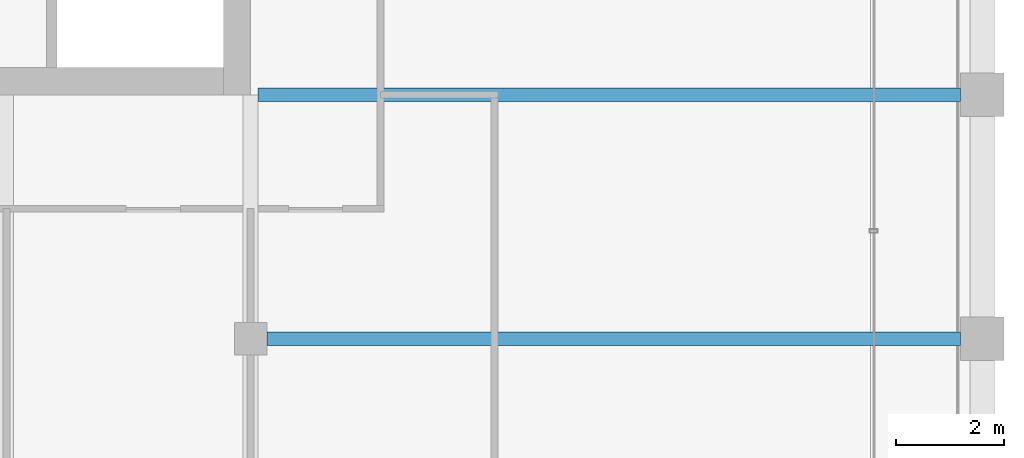
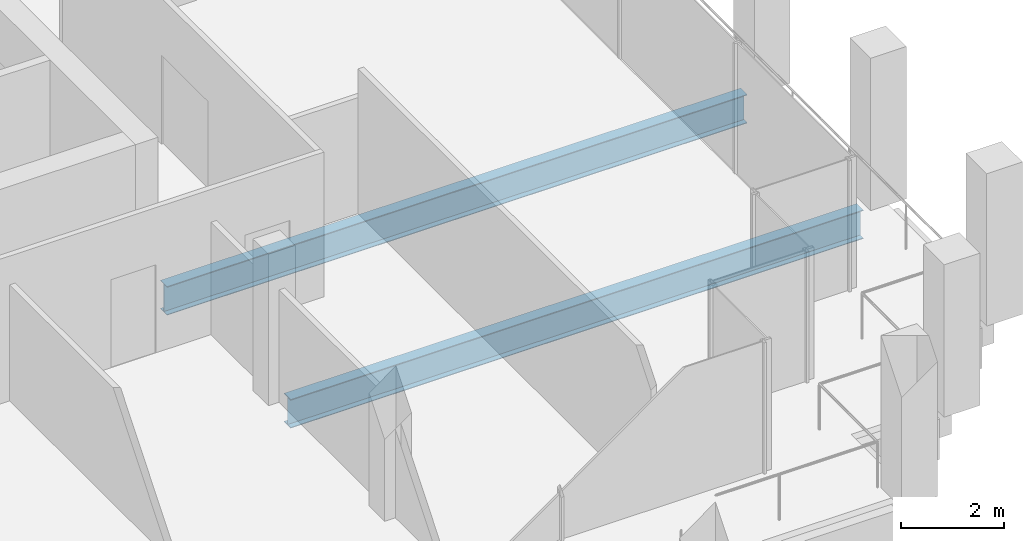
# One storey, part 14 of 30: 2 beams.
"""IFC4 building model written with IfcOpenShell, lengths in metres."""

from ifc_helpers import new_model, si_unit, direction, frame, origin, origin_2d, place, context, subcontext, project, spatial, i_section, extrude, material, material_profile, profile_set, type_object, element, save


model = new_model("IFC4")

# Units and contexts
model_context = context("Model", 3, precision=1e-05, world=origin(), true_north=direction((0.0, 1.0)))
body_context = subcontext(model_context, "Body", "Model", "MODEL_VIEW")
ifc_project = project(units=[si_unit("LENGTHUNIT", "METRE"), si_unit("AREAUNIT", "SQUARE_METRE"), si_unit("VOLUMEUNIT", "CUBIC_METRE"), si_unit("PLANEANGLEUNIT", "RADIAN"), si_unit("MASSUNIT", "GRAM", prefix="KILO")], contexts=[model_context])

# Site, building, storey
site_placement = place(None, origin())
site = spatial("IfcSite", under=ifc_project, at=site_placement, CompositionType="ELEMENT")
building_placement = place(site_placement, origin())
building = spatial("IfcBuilding", under=site, at=building_placement, Name="Altepetl Exchange Towers", CompositionType="ELEMENT")
storey_placement = place(building_placement, frame((0.0, 0.0, 217.199951171875)))
storey = spatial("IfcBuildingStorey", under=building, at=storey_placement, Name="L55", CompositionType="ELEMENT", Elevation=217.199951171875)

# Beams
ifc_material = material(Name="Steel S355", Category="steel")
ifc_material_profile = material_profile(ifc_material, i_section(OverallWidth=0.2529296875, OverallDepth=0.677978515625, WebThickness=0.01171875, FlangeThickness=0.016357421875, at=origin_2d()), Name="W27X84")
ifc_profile_set = profile_set([ifc_material_profile], Name="Steel S355")
beam_type = type_object("IfcBeamType", Name="Floor beam W27X84", PredefinedType="BEAM", material=ifc_profile_set)
beam_1_placement = place(storey_placement, frame((58.800048828125, 36.0, -0.489013671875), z_axis=(1.0, 0.0, 0.0), x_axis=(0.0, 1.0, 0.0)))
element("IfcBeam", 1, at=beam_1_placement, inside=storey, type_object=beam_type, Name="bm:A:L55:007", PredefinedType="BEAM", context=body_context, shape_type="SweptSolid", body=[
    extrude(i_section(OverallWidth=0.2529296875, OverallDepth=0.677978515625, WebThickness=0.01171875, FlangeThickness=0.016357421875, at=origin_2d()), origin(), (0.0, 0.0, 1.0), 12.800048828125),
])
beam_2_placement = place(storey_placement, frame((58.634033203125, 40.5, -0.489013671875), z_axis=(1.0, 0.0, 0.0), x_axis=(0.0, 1.0, 0.0)))
element("IfcBeam", 2, at=beam_2_placement, inside=storey, type_object=beam_type, Name="bm:A:L55:008", PredefinedType="BEAM", context=body_context, shape_type="SweptSolid", body=[
    extrude(i_section(OverallWidth=0.2529296875, OverallDepth=0.677978515625, WebThickness=0.01171875, FlangeThickness=0.016357421875, at=origin_2d()), origin(), (0.0, 0.0, 1.0), 12.966064453125),
])

save(model, "model.ifc")
